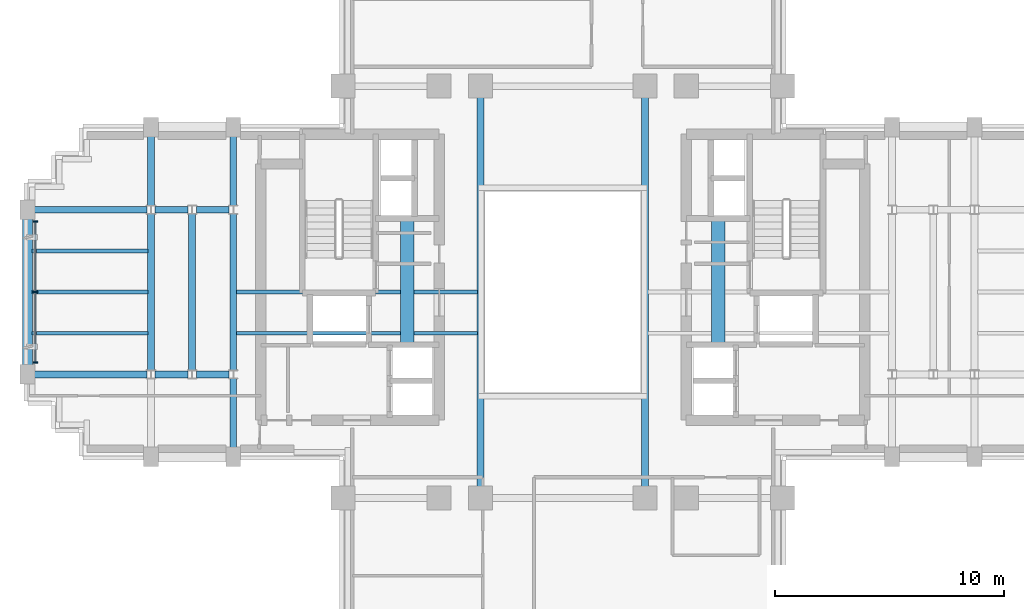
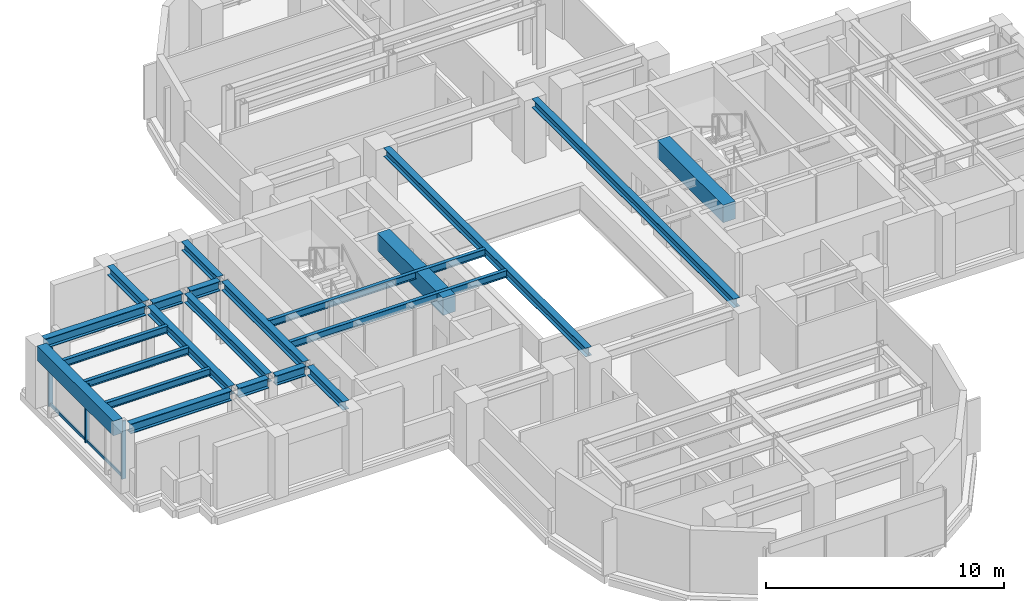
# One storey, part 4 of 14: 22 beams, 5 members, 1 element without a shape of its own.
"""IFC4 building model written with IfcOpenShell, lengths in metres."""

from ifc_helpers import new_model, si_unit, direction, frame, origin, origin_2d, place, context, subcontext, project, spatial, rectangle, i_section, extrude, source, transform, mapped, material, material_profile, profile_set, type_object, element, aggregate, save


model = new_model("IFC4")

# Units and contexts
model_context = context("Model", 3, precision=1e-05, world=origin(), true_north=direction((0.0, 1.0)))
body_context = subcontext(model_context, "Body", "Model", "MODEL_VIEW")
ifc_project = project(units=[si_unit("LENGTHUNIT", "METRE"), si_unit("AREAUNIT", "SQUARE_METRE"), si_unit("VOLUMEUNIT", "CUBIC_METRE"), si_unit("PLANEANGLEUNIT", "RADIAN"), si_unit("MASSUNIT", "GRAM", prefix="KILO")], contexts=[model_context])

# Site, building, storey
site_placement = place(None, origin())
site = spatial("IfcSite", under=ifc_project, at=site_placement, CompositionType="ELEMENT")
building_placement = place(site_placement, origin())
building = spatial("IfcBuilding", under=site, at=building_placement, Name="Keilestroom Media Tower", CompositionType="ELEMENT")
storey_placement = place(building_placement, frame((0.0, 0.0, 127.800048828125)))
storey = spatial("IfcBuildingStorey", under=building, at=storey_placement, Name="L34", CompositionType="ELEMENT", Elevation=127.800048828125)

# Beams
ifc_material_1 = material(Name="Concrete C70/85", Category="concrete")
ifc_material_profile_1 = material_profile(ifc_material_1, rectangle(XDim=0.60009765625, YDim=0.89990234375, at=origin_2d()), Name="RC 600x900")
ifc_profile_set_1 = profile_set([ifc_material_profile_1], Name="Concrete C70/85")
beam_type_1 = type_object("IfcBeamType", Name="Core-Coupling-Lintel-Beam-RC-600x900", PredefinedType="LINTEL", material=ifc_profile_set_1)
shared_shape_1 = source(origin(), body_context, "Body", "SweptSolid", [
    extrude(rectangle(XDim=0.60009765625, YDim=0.89990234375, at=origin_2d()), origin(), (0.0, 0.0, 1.0), 5.52001953125),
])
for number, where, z_axis, x_axis, name in (
    (1, (-6.800048828125, -2.300048828125, 2.75), (0.0, 1.0, 0.0), (-1.0, 0.0, 0.0), "L34 Beam CLB-1 CLB-L34-W"),
    (2, (6.800048828125, -2.300048828125, 2.75), (0.0, 1.0, 0.0), (-1.0, 0.0, 0.0), "L34 Beam CLB-1 CLB-L34-E"),
):
    element("IfcBeam", number, at=place(storey_placement, frame(where, z_axis=z_axis, x_axis=x_axis)), inside=storey, type_object=beam_type_1, Name=name, PredefinedType="LINTEL", context=body_context, shape_type="MappedRepresentation", body=[
        mapped(shared_shape_1, transform((0.0, 0.0, 0.0), x_axis=(1.0, 0.0, 0.0), y_axis=(0.0, 1.0, 0.0), z_axis=(0.0, 0.0, 1.0), scale=1.0)),
    ])
ifc_material_2 = material(Name="Steel S355", Category="steel")
ifc_material_profile_2 = material_profile(ifc_material_2, i_section(OverallWidth=0.169921875, OverallDepth=0.360107421875, WebThickness=0.008056640625, FlangeThickness=0.0126953125, at=origin_2d()), Name="IPE 360")
ifc_profile_set_2 = profile_set([ifc_material_profile_2], Name="Steel S355")
beam_type_2 = type_object("IfcBeamType", Name="Secondary-Floor-Joist-IPE-360", PredefinedType="JOIST", material=ifc_profile_set_2)
shared_shape_2 = source(origin(), body_context, "Body", "SweptSolid", [
    extrude(i_section(OverallWidth=0.169921875, OverallDepth=0.360107421875, WebThickness=0.008056640625, FlangeThickness=0.0126953125, at=origin_2d()), origin(), (0.0, 0.0, 1.0), 10.5400390625),
])
for number, where, z_axis, x_axis, name in (
    (3, (-14.27001953125, -1.800048828125, 3.02001953125), (1.0, 0.0, 0.0), (0.0, 1.0, 0.0), "L34 Beam BJ-5 JST-L34-072"),
    (4, (-14.27001953125, 0.0, 3.02001953125), (1.0, 0.0, 0.0), (0.0, 1.0, 0.0), "L34 Beam BJ-5 JST-L34-077"),
):
    element("IfcBeam", number, at=place(storey_placement, frame(where, z_axis=z_axis, x_axis=x_axis)), inside=storey, type_object=beam_type_2, Name=name, PredefinedType="JOIST", context=body_context, shape_type="MappedRepresentation", body=[
        mapped(shared_shape_2, transform((0.0, 0.0, 0.0), x_axis=(1.0, 0.0, 0.0), y_axis=(0.0, 1.0, 0.0), z_axis=(0.0, 0.0, 1.0), scale=1.0)),
    ])
ifc_material_profile_3 = material_profile(ifc_material_2, i_section(OverallWidth=0.300048828125, OverallDepth=0.5, WebThickness=0.012451171875, FlangeThickness=0.028076171875, at=origin_2d()), Name="HEB 500")
ifc_profile_set_3 = profile_set([ifc_material_profile_3], Name="Steel S355")
beam_type_3 = type_object("IfcBeamType", Name="Primary-Structural-Girder-HEB-500", PredefinedType="BEAM", material=ifc_profile_set_3)
shared_shape_3 = source(origin(), body_context, "Body", "SweptSolid", [
    extrude(i_section(OverallWidth=0.300048828125, OverallDepth=0.5, WebThickness=0.012451171875, FlangeThickness=0.028076171875, at=origin_2d()), origin(), (0.0, 0.0, 1.0), 4.91455078125),
])
for number, where, z_axis, x_axis, name in (
    (5, (-23.094970703125, -3.60009765625, 2.949951171875), (1.0, 0.0, 0.0), (0.0, 1.0, 0.0), "L34 Beam BG-6 BM-L34-EW-014"),
    (6, (-23.094970703125, 3.60009765625, 2.949951171875), (1.0, 0.0, 0.0), (0.0, 1.0, 0.0), "L34 Beam BG-6 BM-L34-EW-020"),
):
    element("IfcBeam", number, at=place(storey_placement, frame(where, z_axis=z_axis, x_axis=x_axis)), inside=storey, type_object=beam_type_3, Name=name, PredefinedType="BEAM", context=body_context, shape_type="MappedRepresentation", body=[
        mapped(shared_shape_3, transform((0.0, 0.0, 0.0), x_axis=(1.0, 0.0, 0.0), y_axis=(0.0, 1.0, 0.0), z_axis=(0.0, 0.0, 1.0), scale=1.0)),
    ])
shared_shape_4 = source(origin(), body_context, "Body", "SweptSolid", [
    extrude(i_section(OverallWidth=0.300048828125, OverallDepth=0.5, WebThickness=0.012451171875, FlangeThickness=0.028076171875, at=origin_2d()), origin(), (0.0, 0.0, 1.0), 1.43896484375),
])
for number, where, z_axis, x_axis, name in (
    (7, (-17.819580078125, -3.60009765625, 2.949951171875), (1.0, 0.0, 0.0), (0.0, 1.0, 0.0), "L34 Beam BG-6 BM-L34-EW-015"),
    (8, (-16.01953125, -3.60009765625, 2.949951171875), (1.0, 0.0, 0.0), (0.0, 1.0, 0.0), "L34 Beam BG-6 BM-L34-EW-016"),
    (9, (-17.819580078125, 3.60009765625, 2.949951171875), (1.0, 0.0, 0.0), (0.0, 1.0, 0.0), "L34 Beam BG-6 BM-L34-EW-021"),
    (10, (-16.01953125, 3.60009765625, 2.949951171875), (1.0, 0.0, 0.0), (0.0, 1.0, 0.0), "L34 Beam BG-6 BM-L34-EW-022"),
):
    element("IfcBeam", number, at=place(storey_placement, frame(where, z_axis=z_axis, x_axis=x_axis)), inside=storey, type_object=beam_type_3, Name=name, PredefinedType="BEAM", context=body_context, shape_type="MappedRepresentation", body=[
        mapped(shared_shape_4, transform((0.0, 0.0, 0.0), x_axis=(1.0, 0.0, 0.0), y_axis=(0.0, 1.0, 0.0), z_axis=(0.0, 0.0, 1.0), scale=1.0)),
    ])
ifc_material_3 = material(Name="Precast concrete C40/50", Category="concrete")
ifc_material_profile_4 = material_profile(ifc_material_3, rectangle(XDim=0.449951171875, YDim=0.75, at=origin_2d()), Name="PC 450x750")
ifc_profile_set_4 = profile_set([ifc_material_profile_4], Name="Precast concrete C40/50")
beam_type_4 = type_object("IfcBeamType", Name="Perimeter-Spandrel-Beam-PC-450x750", PredefinedType="SPANDREL", material=ifc_profile_set_4)
shared_shape_5 = source(origin(), body_context, "Body", "SweptSolid", [
    extrude(rectangle(XDim=0.449951171875, YDim=0.75, at=origin_2d()), origin(), (0.0, 0.0, 1.0), 6.39013671875),
])
beam_placement = place(storey_placement, frame((-23.39990234375, -3.195068359375, 2.824951171875), z_axis=(0.0, 1.0, 0.0), x_axis=(-1.0, 0.0, 0.0)))
element("IfcBeam", 11, at=beam_placement, inside=storey, type_object=beam_type_4, Name="L34 Beam SPB-1 BM-L34-NS-039", PredefinedType="SPANDREL", context=body_context, shape_type="MappedRepresentation", body=[
    mapped(shared_shape_5, transform((0.0, 0.0, 0.0), x_axis=(1.0, 0.0, 0.0), y_axis=(0.0, 1.0, 0.0), z_axis=(0.0, 0.0, 1.0), scale=1.0)),
])
ifc_material_profile_5 = material_profile(ifc_material_2, i_section(OverallWidth=0.300048828125, OverallDepth=0.449951171875, WebThickness=0.011962890625, FlangeThickness=0.02587890625, at=origin_2d()), Name="HEB 450")
ifc_profile_set_5 = profile_set([ifc_material_profile_5], Name="Steel S355")
beam_type_5 = type_object("IfcBeamType", Name="Primary-Structural-Girder-HEB-450", PredefinedType="BEAM", material=ifc_profile_set_5)
shared_shape_6 = source(origin(), body_context, "Body", "SweptSolid", [
    extrude(i_section(OverallWidth=0.300048828125, OverallDepth=0.449951171875, WebThickness=0.011962890625, FlangeThickness=0.02587890625, at=origin_2d()), origin(), (0.0, 0.0, 1.0), 3.015380859375),
])
for number, where, z_axis, x_axis, name in (
    (12, (-18.0, 3.779541015625, 2.974853515625), (0.0, 1.0, 0.0), (-1.0, 0.0, 0.0), "L34 Beam BG-7 BM-L34-NS-042"),
    (13, (-14.39990234375, -6.794921875, 2.974853515625), (0.0, 1.0, 0.0), (-1.0, 0.0, 0.0), "L34 Beam BG-7 BM-L34-NS-044"),
    (14, (-14.39990234375, 3.779541015625, 2.974853515625), (0.0, 1.0, 0.0), (-1.0, 0.0, 0.0), "L34 Beam BG-7 BM-L34-NS-046"),
):
    element("IfcBeam", number, at=place(storey_placement, frame(where, z_axis=z_axis, x_axis=x_axis)), inside=storey, type_object=beam_type_5, Name=name, PredefinedType="BEAM", context=body_context, shape_type="MappedRepresentation", body=[
        mapped(shared_shape_6, transform((0.0, 0.0, 0.0), x_axis=(1.0, 0.0, 0.0), y_axis=(0.0, 1.0, 0.0), z_axis=(0.0, 0.0, 1.0), scale=1.0)),
    ])
shared_shape_7 = source(origin(), body_context, "Body", "SweptSolid", [
    extrude(i_section(OverallWidth=0.300048828125, OverallDepth=0.449951171875, WebThickness=0.011962890625, FlangeThickness=0.02587890625, at=origin_2d()), origin(), (0.0, 0.0, 1.0), 6.8408203125),
])
for number, where, z_axis, x_axis, name in (
    (15, (-18.0, -3.42041015625, 2.974853515625), (0.0, 1.0, 0.0), (-1.0, 0.0, 0.0), "L34 Beam BG-7 BM-L34-NS-041"),
    (16, (-16.199951171875, -3.42041015625, 2.974853515625), (0.0, 1.0, 0.0), (-1.0, 0.0, 0.0), "L34 Beam BG-7 BM-L34-NS-043"),
    (17, (-14.39990234375, -3.42041015625, 2.974853515625), (0.0, 1.0, 0.0), (-1.0, 0.0, 0.0), "L34 Beam BG-7 BM-L34-NS-045"),
):
    element("IfcBeam", number, at=place(storey_placement, frame(where, z_axis=z_axis, x_axis=x_axis)), inside=storey, type_object=beam_type_5, Name=name, PredefinedType="BEAM", context=body_context, shape_type="MappedRepresentation", body=[
        mapped(shared_shape_7, transform((0.0, 0.0, 0.0), x_axis=(1.0, 0.0, 0.0), y_axis=(0.0, 1.0, 0.0), z_axis=(0.0, 0.0, 1.0), scale=1.0)),
    ])
shared_shape_8 = source(origin(), body_context, "Body", "SweptSolid", [
    extrude(i_section(OverallWidth=0.300048828125, OverallDepth=0.449951171875, WebThickness=0.011962890625, FlangeThickness=0.02587890625, at=origin_2d()), origin(), (0.0, 0.0, 1.0), 16.990234375),
])
for number, where, z_axis, x_axis, name in (
    (18, (-3.60009765625, -8.4951171875, 2.974853515625), (0.0, 1.0, 0.0), (-1.0, 0.0, 0.0), "L34 Beam BG-7 BM-L34-NS-051"),
    (19, (3.60009765625, -8.4951171875, 2.974853515625), (0.0, 1.0, 0.0), (-1.0, 0.0, 0.0), "L34 Beam BG-7 BM-L34-NS-056"),
):
    element("IfcBeam", number, at=place(storey_placement, frame(where, z_axis=z_axis, x_axis=x_axis)), inside=storey, type_object=beam_type_5, Name=name, PredefinedType="BEAM", context=body_context, shape_type="MappedRepresentation", body=[
        mapped(shared_shape_8, transform((0.0, 0.0, 0.0), x_axis=(1.0, 0.0, 0.0), y_axis=(0.0, 1.0, 0.0), z_axis=(0.0, 0.0, 1.0), scale=1.0)),
    ])
shared_shape_9 = source(origin(), body_context, "Body", "SweptSolid", [
    extrude(i_section(OverallWidth=0.169921875, OverallDepth=0.360107421875, WebThickness=0.008056640625, FlangeThickness=0.0126953125, at=origin_2d()), origin(), (0.0, 0.0, 1.0), 5.065185546875),
])
for number, where, z_axis, x_axis, name in (
    (20, (-23.195068359375, -1.800048828125, 3.02001953125), (1.0, 0.0, 0.0), (0.0, 1.0, 0.0), "L34 Beam BJ-5 JST-L34-071"),
    (21, (-23.195068359375, 0.0, 3.02001953125), (1.0, 0.0, 0.0), (0.0, 1.0, 0.0), "L34 Beam BJ-5 JST-L34-076"),
    (22, (-23.195068359375, 1.800048828125, 3.02001953125), (1.0, 0.0, 0.0), (0.0, 1.0, 0.0), "L34 Beam BJ-5 JST-L34-081"),
):
    element("IfcBeam", number, at=place(storey_placement, frame(where, z_axis=z_axis, x_axis=x_axis)), inside=storey, type_object=beam_type_2, Name=name, PredefinedType="JOIST", context=body_context, shape_type="MappedRepresentation", body=[
        mapped(shared_shape_9, transform((0.0, 0.0, 0.0), x_axis=(1.0, 0.0, 0.0), y_axis=(0.0, 1.0, 0.0), z_axis=(0.0, 0.0, 1.0), scale=1.0)),
    ])

# Curtain wall, members
ifc_material_4 = material(Name="Anodised Aluminium Alloy", Category="aluminium")
curtain_wall_type = type_object("IfcCurtainWallType", Name="Unitised-Curtain-Wall-CW-2", PredefinedType="NOTDEFINED", material=ifc_material_4)
curtain_wall_placement = place(storey_placement, origin())
curtain_wall = element("IfcCurtainWall", 23, at=curtain_wall_placement, inside=storey, type_object=curtain_wall_type, Name="L34 Curtain Wall CW-2 CW-L34-W-1", PredefinedType="NOTDEFINED")
ifc_material_profile_6 = material_profile(ifc_material_4, rectangle(XDim=0.070068359375, YDim=0.199951171875, at=origin_2d()), Name="ALU MULLION 70x200")
ifc_profile_set_6 = profile_set([ifc_material_profile_6], Name="Anodised Aluminium Alloy")
member_type_1 = type_object("IfcMemberType", Name="Curtain-Wall-Mullion-CW-2", PredefinedType="MULLION", material=ifc_profile_set_6)
shared_shape_10 = source(origin(), body_context, "Body", "SweptSolid", [
    extrude(rectangle(XDim=0.070068359375, YDim=0.199951171875, at=origin_2d()), origin(), (0.0, 0.0, 1.0), 2.97998046875),
])
member_1_placement = place(storey_placement, frame((-23.050048828125, -3.080078125, 0.0), z_axis=(0.0, 0.0, 1.0), x_axis=(0.0, 1.0, 0.0)))
member_1 = element("IfcMember", 24, at=member_1_placement, type_object=member_type_1, Name="CW-2 Mullion 00", PredefinedType="MULLION", context=body_context, shape_type="MappedRepresentation", body=[
    mapped(shared_shape_10, transform((0.0, 0.0, 0.0), x_axis=(1.0, 0.0, 0.0), y_axis=(0.0, 1.0, 0.0), z_axis=(0.0, 0.0, 1.0), scale=1.0)),
])
member_2_placement = place(storey_placement, frame((-23.050048828125, 0.0, 0.0), z_axis=(0.0, 0.0, 1.0), x_axis=(0.0, 1.0, 0.0)))
member_2 = element("IfcMember", 25, at=member_2_placement, type_object=member_type_1, Name="CW-2 Mullion 01", PredefinedType="MULLION", context=body_context, shape_type="MappedRepresentation", body=[
    mapped(shared_shape_10, transform((0.0, 0.0, 0.0), x_axis=(1.0, 0.0, 0.0), y_axis=(0.0, 1.0, 0.0), z_axis=(0.0, 0.0, 1.0), scale=1.0)),
])
member_3_placement = place(storey_placement, frame((-23.050048828125, 3.080078125, 0.0), z_axis=(0.0, 0.0, 1.0), x_axis=(0.0, 1.0, 0.0)))
member_3 = element("IfcMember", 26, at=member_3_placement, type_object=member_type_1, Name="CW-2 Mullion 02", PredefinedType="MULLION", context=body_context, shape_type="MappedRepresentation", body=[
    mapped(shared_shape_10, transform((0.0, 0.0, 0.0), x_axis=(1.0, 0.0, 0.0), y_axis=(0.0, 1.0, 0.0), z_axis=(0.0, 0.0, 1.0), scale=1.0)),
])
ifc_material_profile_7 = material_profile(ifc_material_4, rectangle(XDim=0.06494140625, YDim=0.14990234375, at=origin_2d()), Name="ALU TRANSOM 65x150")
ifc_profile_set_7 = profile_set([ifc_material_profile_7], Name="Anodised Aluminium Alloy")
member_type_2 = type_object("IfcMemberType", Name="Curtain-Wall-Transom-CW-2", PredefinedType="USERDEFINED", material=ifc_profile_set_7)
shared_shape_11 = source(origin(), body_context, "Body", "SweptSolid", [
    extrude(rectangle(XDim=0.06494140625, YDim=0.14990234375, at=origin_2d()), origin(), (0.0, 0.0, 1.0), 3.01416015625),
])
member_4_placement = place(storey_placement, frame((-23.050048828125, -3.047119140625, 0.074951171875), z_axis=(0.0, 1.0, 0.0), x_axis=(-1.0, 0.0, 0.0)))
member_4 = element("IfcMember", 27, at=member_4_placement, type_object=member_type_2, Name="CW-2 Transom 00.1", ObjectType="TRANSOM", PredefinedType="USERDEFINED", context=body_context, shape_type="MappedRepresentation", body=[
    mapped(shared_shape_11, transform((0.0, 0.0, 0.0), x_axis=(1.0, 0.0, 0.0), y_axis=(0.0, 1.0, 0.0), z_axis=(0.0, 0.0, 1.0), scale=1.0)),
])
member_5_placement = place(storey_placement, frame((-23.050048828125, 0.032958984375, 0.074951171875), z_axis=(0.0, 1.0, 0.0), x_axis=(-1.0, 0.0, 0.0)))
member_5 = element("IfcMember", 28, at=member_5_placement, type_object=member_type_2, Name="CW-2 Transom 01.1", ObjectType="TRANSOM", PredefinedType="USERDEFINED", context=body_context, shape_type="MappedRepresentation", body=[
    mapped(shared_shape_11, transform((0.0, 0.0, 0.0), x_axis=(1.0, 0.0, 0.0), y_axis=(0.0, 1.0, 0.0), z_axis=(0.0, 0.0, 1.0), scale=1.0)),
])
aggregate(curtain_wall, [member_1, member_2, member_3, member_4, member_5])

save(model, "model.ifc")
